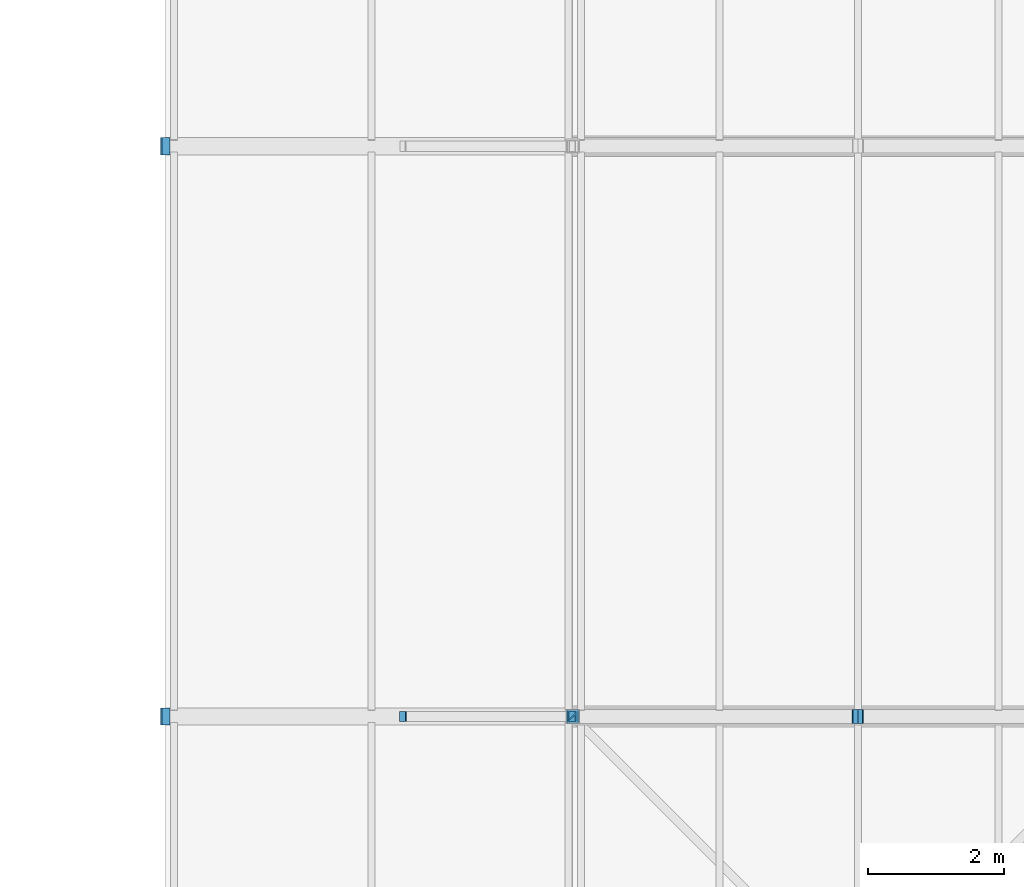
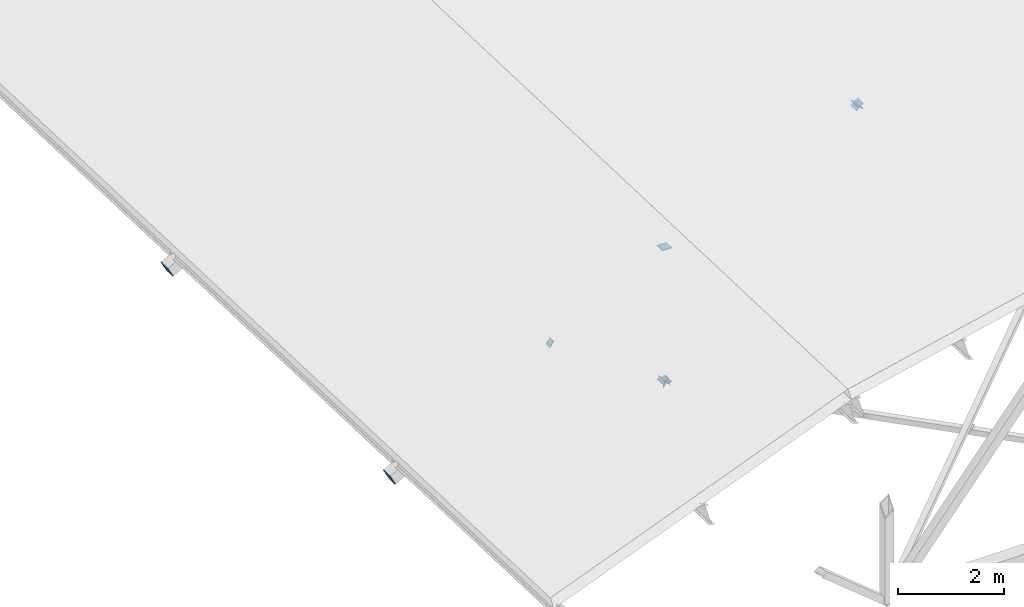
# One storey, part 44 of 76: 10 discrete accessories.
"""IFC4 building model written with IfcOpenShell, lengths in metres."""

from ifc_helpers import new_model, si_unit, direction, frame, origin, origin_2d, place, context, subcontext, project, spatial, rectangle, extrude, material, element, save


model = new_model("IFC4")

# Units and contexts
model_context = context("Model", 3, precision=1e-05, world=origin(), true_north=direction((0.0, 1.0)))
body_context = subcontext(model_context, "Body", "Model", "MODEL_VIEW")
ifc_project = project(units=[si_unit("LENGTHUNIT", "METRE"), si_unit("AREAUNIT", "SQUARE_METRE"), si_unit("VOLUMEUNIT", "CUBIC_METRE"), si_unit("PLANEANGLEUNIT", "RADIAN"), si_unit("MASSUNIT", "GRAM", prefix="KILO")], contexts=[model_context])

# Site, building, storey
site_placement = place(None, origin())
site = spatial("IfcSite", under=ifc_project, at=site_placement, CompositionType="ELEMENT")
building_placement = place(site_placement, origin())
building = spatial("IfcBuilding", under=site, at=building_placement, Name="Hlaing Beacon Police Headquarters", CompositionType="ELEMENT")
storey_placement = place(building_placement, frame((0.0, 0.0, 18.89990234375)))
storey = spatial("IfcBuildingStorey", under=building, at=storey_placement, Name="L04", CompositionType="ELEMENT", Elevation=18.89990234375)

# Discrete accessories
ifc_material = material(Name="Steel ASTM A572 Grade 50", Category="steel")
for number, where, z_axis, x_axis, name in (
    (1, (58.800048828125, 42.0, -4.33740234375), (0.0, 0.0, -1.0), (1.0, 0.0, 0.0), "Gusset plate GP-263"),
    (2, (58.800048828125, 42.0, -1.279296875), (0.0, 0.0, 1.0), (1.0, 0.0, 0.0), "Gusset plate GP-264"),
):
    element("IfcDiscreteAccessory", number, at=place(storey_placement, frame(where, z_axis=z_axis, x_axis=x_axis)), inside=storey, material=ifc_material, Name=name, PredefinedType="BRACKET", context=body_context, shape_type="SweptSolid", body=[
        extrude(rectangle(XDim=0.203125, YDim=0.203125, at=origin_2d()), origin(), (0.0, 0.0, 1.0), 0.02001953125),
    ])
for number, where, z_axis, x_axis, name in (
    (3, (58.80517578125, 42.0, -4.34130859375), (-0.651561457918, 0.0, -0.758595851924), (0.0, -1.0, 0.0), "Gusset plate GP-273"),
    (4, (62.994873046875, 42.0, 0.536376953125), (0.651561457918, 0.0, 0.758595851924), (0.0, 1.0, 0.0), "Gusset plate GP-274"),
    (5, (63.005126953125, 42.0, 0.536376953125), (-0.651561457918, 0.0, 0.758595851924), (0.0, -1.0, 0.0), "Gusset plate GP-275"),
):
    element("IfcDiscreteAccessory", number, at=place(storey_placement, frame(where, z_axis=z_axis, x_axis=x_axis)), inside=storey, material=ifc_material, Name=name, PredefinedType="BRACKET", context=body_context, shape_type="SweptSolid", body=[
        extrude(rectangle(XDim=0.203125, YDim=0.203125, at=origin_2d()), origin(), (0.0, 0.0, 1.0), 0.01611328125),
    ])
for number, where, z_axis, x_axis, name in (
    (6, (58.79345703125, 42.0, -4.3427734375), (0.820772849728, 0.0, -0.571254697267), (0.0, 1.0, 0.0), "Gusset plate GP-289"),
    (7, (56.306640625, 42.0, -2.612060546875), (-0.820772849728, 0.0, 0.571254697267), (0.0, -1.0, 0.0), "Gusset plate GP-290"),
):
    element("IfcDiscreteAccessory", number, at=place(storey_placement, frame(where, z_axis=z_axis, x_axis=x_axis)), inside=storey, material=ifc_material, Name=name, PredefinedType="BRACKET", context=body_context, shape_type="SweptSolid", body=[
        extrude(rectangle(XDim=0.15234375, YDim=0.15234375, at=origin_2d()), origin(), (0.0, 0.0, 1.0), 0.01611328125),
    ])
discrete_accessory_placement = place(storey_placement, frame((58.80419921875, 41.995849609375, -4.4208984375), z_axis=(-0.707106781187, 0.707106781187, 0.0), x_axis=(-0.707106781187, -0.707106781187, 0.0)))
element("IfcDiscreteAccessory", 8, at=discrete_accessory_placement, inside=storey, material=ifc_material, Name="Gusset plate GP-385", PredefinedType="BRACKET", context=body_context, shape_type="SweptSolid", body=[
    extrude(rectangle(XDim=0.126953125, YDim=0.126953125, at=origin_2d()), origin(), (0.0, 0.0, 1.0), 0.011962890625),
])
for number, where, z_axis, x_axis, name in (
    (9, (52.808837890625, 42.0, -4.476318359375), (-0.881639912586, 0.0, -0.47192273153), (0.0, -1.0, 0.0), "Chord end plate CE-002"),
    (10, (52.808837890625, 50.39990234375, -4.7763671875), (-0.881639912586, 0.0, -0.47192273153), (0.0, -1.0, 0.0), "Chord end plate CE-004"),
):
    element("IfcDiscreteAccessory", number, at=place(storey_placement, frame(where, z_axis=z_axis, x_axis=x_axis)), inside=storey, material=ifc_material, Name=name, PredefinedType="BRACKET", context=body_context, shape_type="SweptSolid", body=[
        extrude(rectangle(XDim=0.25390625, YDim=0.25390625, at=origin_2d()), origin(), (0.0, 0.0, 1.0), 0.02001953125),
    ])

save(model, "model.ifc")
